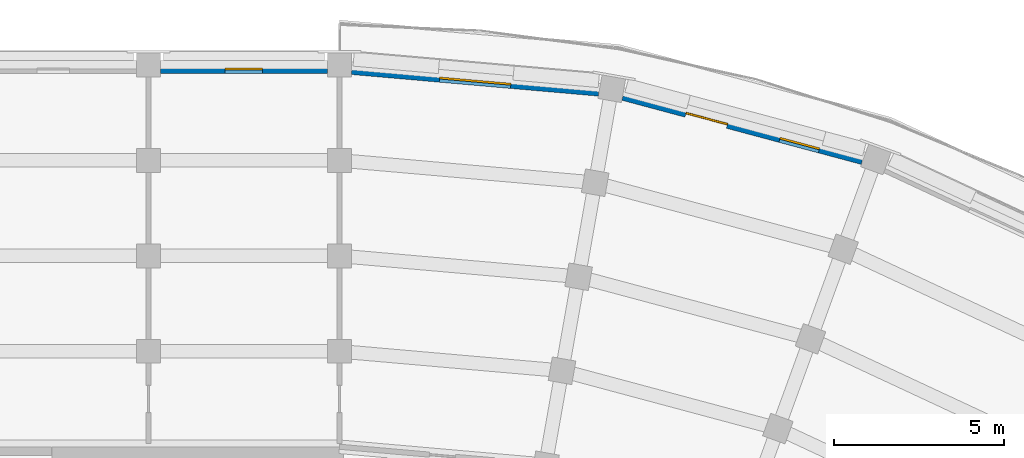
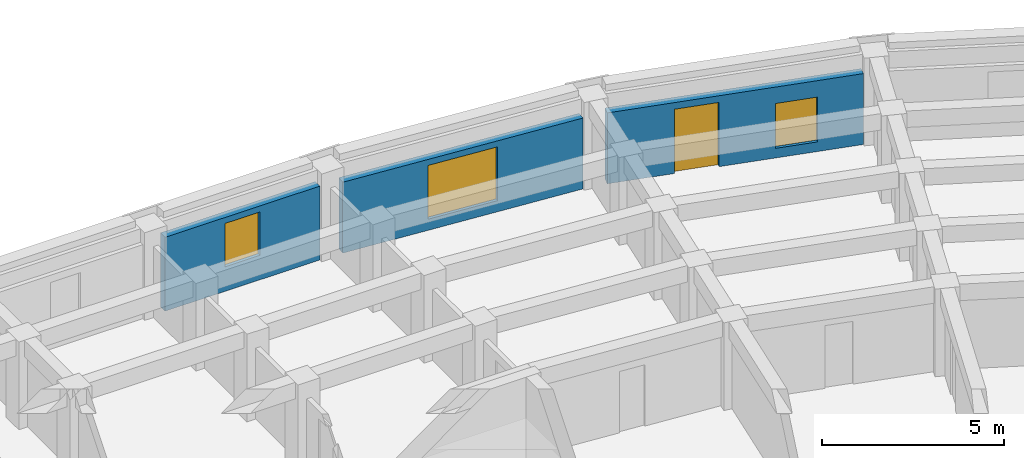
# One storey, part 38 of 57: 3 walls, 3 windows, 1 door, 4 openings.
"""IFC4 building model written with IfcOpenShell, lengths in metres."""

import ifcopenshell
import ifcopenshell.guid

model = None  # the IFC model being written
_history = None  # IfcOwnerHistory: only IFC2X3 demands one
_inside = {}  # id of a spatial element -> (the spatial element, [elements in it])
_under = {}  # id of a project, library or spatial element -> (it, [spatial elements below it])
_declared = {}  # id of a project -> (the project, [libraries it declares])
_typed = {}  # id of a type object -> (the type object, [elements of that type])
_made_of = {}  # id of a material, layer set ... -> (it, [elements and type objects made of it])


def new_model(schema):
    """Start an empty IFC model of exactly this schema.

    Asked for "IFC4X3", IfcOpenShell would pick the latest addendum, in which some entities
    have other attributes; the version numbers below select the first issue.
    IFC2X3 requires an IfcOwnerHistory on every rooted entity: one is made here for all.
    """
    global model, _history
    if schema == "IFC4X3":
        model = ifcopenshell.file(schema_version=(4, 3, 0, 0))
    else:
        model = ifcopenshell.file(schema=schema)
    _inside.clear()
    _under.clear()
    _declared.clear()
    _typed.clear()
    _made_of.clear()
    _history = None
    if model.schema == "IFC2X3":
        org = make("IfcOrganization", Name="unknown")
        user = make(
            "IfcPersonAndOrganization",
            ThePerson=make("IfcPerson", FamilyName="unknown"),
            TheOrganization=org,
        )
        app = make(
            "IfcApplication",
            ApplicationDeveloper=org,
            Version="unknown",
            ApplicationFullName="unknown",
            ApplicationIdentifier="unknown",
        )
        _history = make(
            "IfcOwnerHistory",
            OwningUser=user,
            OwningApplication=app,
            ChangeAction="ADDED",
            CreationDate=0,
        )
    return model


def make(cls, **values):
    """One entity of the class cls with the attributes given. An attribute that is None is left unset."""
    return model.create_entity(
        cls, **{name: value for name, value in values.items() if value is not None}
    )


def rooted(cls, **values):
    """An entity with a GlobalId (a new one), such as an element, a storey or a relation."""
    return make(cls, GlobalId=ifcopenshell.guid.new(), OwnerHistory=_history, **values)


def si_unit(unit_type, name, prefix=None):
    """IfcSIUnit, for example si_unit("LENGTHUNIT", "METRE", prefix="MILLI")."""
    return make("IfcSIUnit", UnitType=unit_type, Prefix=prefix, Name=name)


def assignment(units):
    """IfcUnitAssignment: the units of a project."""
    return None if units is None else make("IfcUnitAssignment", Units=units)


def point(xyz):
    """IfcCartesianPoint."""
    return None if xyz is None else make("IfcCartesianPoint", Coordinates=xyz)


def direction(xyz):
    """IfcDirection."""
    return None if xyz is None else make("IfcDirection", DirectionRatios=xyz)


def frame(location, z_axis=None, x_axis=None):
    """IfcAxis2Placement3D, a coordinate frame: its origin and axes. An axis left out is left unset."""
    return make(
        "IfcAxis2Placement3D",
        Location=point(location),
        Axis=direction(z_axis),
        RefDirection=direction(x_axis),
    )


def frame_2d(location, x_axis=None):
    """IfcAxis2Placement2D, a coordinate frame in the plane: its origin and x axis."""
    return make(
        "IfcAxis2Placement2D", Location=point(location), RefDirection=direction(x_axis)
    )


def origin():
    """The frame at (0, 0, 0) with its axes left unset."""
    return frame((0.0, 0.0, 0.0))


def place(relative_to, where):
    """IfcLocalPlacement: puts the frame where relative to a parent placement (None: the world)."""
    return make(
        "IfcLocalPlacement", PlacementRelTo=relative_to, RelativePlacement=where
    )


def context(
    kind, dimensions, precision=None, world=None, true_north=None, identifier=None
):
    """IfcGeometricRepresentationContext, for example the 3D "Model" context."""
    return make(
        "IfcGeometricRepresentationContext",
        ContextIdentifier=identifier,
        ContextType=kind,
        CoordinateSpaceDimension=dimensions,
        Precision=precision,
        WorldCoordinateSystem=world,
        TrueNorth=true_north,
    )


def subcontext(parent, identifier, kind, view, scale=None):
    """IfcGeometricRepresentationSubContext, for example "Body" below "Model"."""
    return make(
        "IfcGeometricRepresentationSubContext",
        ContextIdentifier=identifier,
        ContextType=kind,
        ParentContext=parent,
        TargetScale=scale,
        TargetView=view,
    )


def project(units=None, contexts=None):
    """IfcProject with its units and contexts."""
    return rooted(
        "IfcProject",
        Name="project",
        RepresentationContexts=contexts,
        UnitsInContext=assignment(units),
    )


def spatial(cls, under=None, at=None, **own):
    """A site, building, storey or space (cls), placed at a placement, below another one or the project."""
    s = rooted(cls, ObjectPlacement=at, **own)
    if under is not None:
        _under.setdefault(under.id(), (under, []))[1].append(s)
    return s


def profile(cls, at=None, kind="AREA", **sizes):
    """A parametric profile (cls). Its sizes go by their IFC names, for example OverallWidth=200.0."""
    return make(cls, ProfileType=kind, Position=at, **sizes)


def rectangle(**sizes):
    """IfcRectangleProfileDef."""
    return profile("IfcRectangleProfileDef", **sizes)


def extrude(swept, where, along, depth):
    """IfcExtrudedAreaSolid: the profile swept, set in the frame where, extruded along a direction by depth."""
    return make(
        "IfcExtrudedAreaSolid",
        SweptArea=swept,
        Position=where,
        ExtrudedDirection=direction(along),
        Depth=depth,
    )


def shape(context_of_items, identifier, shape_type, items):
    """IfcShapeRepresentation: the items that make up one representation, for example the "Body"."""
    return make(
        "IfcShapeRepresentation",
        ContextOfItems=context_of_items,
        RepresentationIdentifier=identifier,
        RepresentationType=shape_type,
        Items=items,
    )


def material(Name=None, Category=None):
    """IfcMaterial."""
    return make("IfcMaterial", Name=Name, Category=Category)


def layer(
    of_material, thickness, ventilated=None, Name=None, Category=None, Priority=None
):
    """IfcMaterialLayer: one layer of a wall or slab, of a material (None: an air gap)."""
    return make(
        "IfcMaterialLayer",
        Material=of_material,
        LayerThickness=thickness,
        IsVentilated=ventilated,
        Name=Name,
        Category=Category,
        Priority=Priority,
    )


def layer_set(layers, Name=None):
    """IfcMaterialLayerSet."""
    return make("IfcMaterialLayerSet", MaterialLayers=layers, LayerSetName=Name)


def made_of(thing, what):
    """Note that an element or type object is made of a material, layer set ...; save() writes the relation."""
    if what is not None:
        _made_of.setdefault(what.id(), (what, []))[1].append(thing)
    return thing


def type_object(cls, material=None, **own):
    """A type object (cls), such as IfcWallType, which elements share."""
    return made_of(rooted(cls, **own), material)


def element(
    cls,
    number,
    at=None,
    inside=None,
    cuts=None,
    type_object=None,
    material=None,
    context=None,
    identifier="Body",
    shape_type=None,
    held_by="IfcProductDefinitionShape",
    body=None,
    shapes=None,
    **own,
):
    """One element of the class cls, such as IfcWall. Its Tag is "e" and its number.

    at: its placement. inside: the storey or other place that contains it. cuts: it is an
    opening in that element (IfcRelVoidsElement). A single representation is given by context,
    identifier, shape_type and body (its items); several are given by shapes. held_by: the class
    of the entity that holds the representations. save() writes the other relations.
    """
    e = rooted(cls, Tag="e%d" % number, ObjectPlacement=at, **own)
    if body is not None:
        shapes = [shape(context, identifier, shape_type, body)]
    if shapes is not None:
        e.Representation = make(held_by, Representations=shapes)
    if inside is not None:
        _inside.setdefault(inside.id(), (inside, []))[1].append(e)
    if cuts is not None:
        rooted(
            "IfcRelVoidsElement", RelatingBuildingElement=cuts, RelatedOpeningElement=e
        )
    if type_object is not None:
        _typed.setdefault(type_object.id(), (type_object, []))[1].append(e)
    return made_of(e, material)


def fill(opening, filler):
    """IfcRelFillsElement: the door or window that sits in an opening."""
    return rooted(
        "IfcRelFillsElement",
        RelatingOpeningElement=opening,
        RelatedBuildingElement=filler,
    )


def aggregate(whole, parts):
    """IfcRelAggregates: a whole, such as a stair, and the parts it consists of."""
    return rooted("IfcRelAggregates", RelatingObject=whole, RelatedObjects=parts)


def save(model, path):
    """Write the relations noted so far, then the file.

    IfcRelAggregates (storeys below a building ...), IfcRelContainedInSpatialStructure (elements
    in a storey), IfcRelDefinesByType, IfcRelAssociatesMaterial and IfcRelDeclares: one each for
    every whole, place, type object, material and project.
    """
    for whole, parts in _under.values():
        aggregate(whole, parts)
    for where, things in _inside.values():
        rooted(
            "IfcRelContainedInSpatialStructure",
            RelatedElements=things,
            RelatingStructure=where,
        )
    for kind, things in _typed.values():
        rooted("IfcRelDefinesByType", RelatedObjects=things, RelatingType=kind)
    for what, things in _made_of.values():
        rooted("IfcRelAssociatesMaterial", RelatedObjects=things, RelatingMaterial=what)
    for by, libraries in _declared.values():
        rooted("IfcRelDeclares", RelatingContext=by, RelatedDefinitions=libraries)
    model.write(path)


model = new_model("IFC4")

# Units and contexts
model_context = context("Model", 3, precision=1e-05, world=origin(), true_north=direction((0.0, 1.0)))
body_context = subcontext(model_context, "Body", "Model", "MODEL_VIEW")
ifc_project = project(units=[si_unit("LENGTHUNIT", "METRE"), si_unit("AREAUNIT", "SQUARE_METRE"), si_unit("VOLUMEUNIT", "CUBIC_METRE"), si_unit("PLANEANGLEUNIT", "RADIAN"), si_unit("MASSUNIT", "GRAM", prefix="KILO")], contexts=[model_context])

# Site, building, storey
site_placement = place(None, origin())
site = spatial("IfcSite", under=ifc_project, at=site_placement, CompositionType="ELEMENT")
building_placement = place(site_placement, origin())
building = spatial("IfcBuilding", under=site, at=building_placement, Name="Kiranvali Square Residences", CompositionType="ELEMENT")
storey_placement = place(building_placement, frame((0.0, 0.0, 18.14990234375)))
storey = spatial("IfcBuildingStorey", under=building, at=storey_placement, Name="L05", CompositionType="ELEMENT", Elevation=18.14990234375)

# Wall, opening, window
ifc_material_1 = material(Name="Breathable lime-rendered clay brick masonry", Category="masonry")
ifc_layer = layer(ifc_material_1, 0.25)
ifc_layer_set = layer_set([ifc_layer], Name="Breathable lime-rendered clay brick masonry")
wall_type = type_object("IfcWallType", Name="WL-EXT-250", PredefinedType="STANDARD", material=ifc_layer_set)
wall_1_placement = place(storey_placement, frame((120.16357421875, 133.642822265625, 0.0), z_axis=(0.0, 0.0, 1.0), x_axis=(0.99619214922, -0.08718487158, 0.0)))
wall_1 = element("IfcWall", 1, at=wall_1_placement, inside=storey, type_object=wall_type, Name="L05 exterior wall B-L05-CRV-00", PredefinedType="STANDARD", context=body_context, shape_type="SweptSolid", body=[
    extrude(rectangle(XDim=7.2666015625, YDim=0.25, at=frame_2d((3.63330078125, 0.0))), origin(), (0.0, 0.0, 1.0), 2.3720703125),
])
opening_1_placement = place(wall_1_placement, frame((2.583251953125, 0.0, 0.3720703125)))
opening_1 = element("IfcOpeningElement", 2, at=opening_1_placement, cuts=wall_1, Name="Opening W-03", PredefinedType="OPENING", context=body_context, shape_type="SweptSolid", body=[
    extrude(rectangle(XDim=2.10009765625, YDim=1.800048828125, at=frame_2d((1.050048828125, 0.89990234375))), frame((0.0, 0.135009765625, 0.0), z_axis=(0.0, -1.0, 0.0), x_axis=(1.0, 0.0, 0.0)), (0.0, 0.0, 1.0), 0.27001953125),
])
ifc_material_2 = material(Name="Solar-control low-e double glazing", Category="glass")
window_type_1 = type_object("IfcWindowType", Name="WIN-RES-2100x1800", PartitioningType="TRIPLE_PANEL_VERTICAL", PredefinedType="WINDOW", material=ifc_material_2)
window_1_placement = place(opening_1_placement, origin())
window_1 = element("IfcWindow", 3, at=window_1_placement, inside=storey, type_object=window_type_1, Name="L05 recessed window B-L05-CRV-00", OverallHeight=1.800048828125, OverallWidth=2.10009765625, PartitioningType="TRIPLE_PANEL_VERTICAL", PredefinedType="WINDOW", context=body_context, shape_type="SweptSolid", body=[
    extrude(rectangle(XDim=2.10009765625, YDim=1.800048828125, at=frame_2d((1.050048828125, 0.89990234375))), frame((0.0, 0.030029296875, 0.0), z_axis=(0.0, -1.0, 0.0), x_axis=(1.0, 0.0, 0.0)), (0.0, 0.0, 1.0), 0.06005859375),
])
fill(opening_1, window_1)

# Wall, openings, door, window
wall_2_placement = place(storey_placement, frame((128.118408203125, 132.883056640625, 0.0), z_axis=(0.0, 0.0, 1.0), x_axis=(0.965930355787, -0.258802140196, 0.0)))
wall_2 = element("IfcWall", 4, at=wall_2_placement, inside=storey, type_object=wall_type, Name="L05 exterior wall B-L05-CRV-01", PredefinedType="STANDARD", context=body_context, shape_type="SweptSolid", body=[
    extrude(rectangle(XDim=7.2666015625, YDim=0.25, at=frame_2d((3.63330078125, 0.0))), origin(), (0.0, 0.0, 1.0), 2.3720703125),
])
opening_2_placement = place(wall_2_placement, frame((4.765625, 0.0, 0.322021484375)))
opening_2 = element("IfcOpeningElement", 5, at=opening_2_placement, cuts=wall_2, Name="Opening W-06", PredefinedType="OPENING", context=body_context, shape_type="SweptSolid", body=[
    extrude(rectangle(XDim=1.199951171875, YDim=1.5, at=frame_2d((0.60009765625, 0.75))), frame((0.0, 0.135009765625, 0.0), z_axis=(0.0, -1.0, 0.0), x_axis=(1.0, 0.0, 0.0)), (0.0, 0.0, 1.0), 0.27001953125),
])
opening_3_placement = place(wall_2_placement, frame((1.913330078125, 0.0, 0.0)))
opening_3 = element("IfcOpeningElement", 6, at=opening_3_placement, cuts=wall_2, Name="Opening ED-BAL-2", PredefinedType="OPENING", context=body_context, shape_type="SweptSolid", body=[
    extrude(rectangle(XDim=1.260009765625, YDim=2.14990234375, at=frame_2d((0.6298828125, 1.074951171875))), frame((0.0, 0.135009765625, 0.0), z_axis=(0.0, -1.0, 0.0), x_axis=(1.0, 0.0, 0.0)), (0.0, 0.0, 1.0), 0.27001953125),
])
ifc_material_3 = material(Name="Anodised bronze aluminium framing", Category="aluminium")
door_type = type_object("IfcDoorType", Name="DR-BAL-1260", OperationType="NOTDEFINED", PredefinedType="DOOR", material=ifc_material_3)
door_placement = place(opening_3_placement, origin())
door = element("IfcDoor", 7, at=door_placement, inside=storey, type_object=door_type, Name="L05 balcony terrace door", OperationType="SINGLE_SWING_RIGHT", OverallHeight=2.14990234375, OverallWidth=1.260009765625, PredefinedType="DOOR", context=body_context, shape_type="SweptSolid", body=[
    extrude(rectangle(XDim=1.260009765625, YDim=2.14990234375, at=frame_2d((0.6298828125, 1.074951171875))), frame((0.0, 0.02490234375, 0.0), z_axis=(0.0, -1.0, 0.0), x_axis=(1.0, 0.0, 0.0)), (0.0, 0.0, 1.0), 0.050048828125),
])
fill(opening_3, door)
window_type_2 = type_object("IfcWindowType", Name="WIN-RES-1200x1500", PartitioningType="SINGLE_PANEL", PredefinedType="WINDOW", material=ifc_material_2)
window_2_placement = place(opening_2_placement, origin())
window_2 = element("IfcWindow", 8, at=window_2_placement, inside=storey, type_object=window_type_2, Name="L05 recessed window B-L05-CRV-01", OverallHeight=1.5, OverallWidth=1.199951171875, PartitioningType="SINGLE_PANEL", PredefinedType="WINDOW", context=body_context, shape_type="SweptSolid", body=[
    extrude(rectangle(XDim=1.199951171875, YDim=1.5, at=frame_2d((0.60009765625, 0.75))), frame((0.0, 0.030029296875, 0.0), z_axis=(0.0, -1.0, 0.0), x_axis=(1.0, 0.0, 0.0)), (0.0, 0.0, 1.0), 0.06005859375),
])
fill(opening_2, window_2)

# Wall, opening, window
wall_3_placement = place(storey_placement, frame((119.446533203125, 133.675048828125, 0.0), z_axis=(0.0, 0.0, 1.0), x_axis=(-1.0, 0.0, 0.0)))
wall_3 = element("IfcWall", 9, at=wall_3_placement, inside=storey, type_object=wall_type, Name="L05 exterior wall B-L05-A1O-0", PredefinedType="STANDARD", context=body_context, shape_type="SweptSolid", body=[
    extrude(rectangle(XDim=4.89306640625, YDim=0.25, at=frame_2d((2.446533203125, 0.0))), origin(), (0.0, 0.0, 1.0), 2.47216796875),
])
opening_4_placement = place(wall_3_placement, frame((1.896484375, 0.0, 0.822021484375)))
opening_4 = element("IfcOpeningElement", 10, at=opening_4_placement, cuts=wall_3, Name="Opening W-15", PredefinedType="OPENING", context=body_context, shape_type="SweptSolid", body=[
    extrude(rectangle(XDim=1.10009765625, YDim=1.449951171875, at=frame_2d((0.550048828125, 0.72509765625))), frame((0.0, 0.135009765625, 0.0), z_axis=(0.0, -1.0, 0.0), x_axis=(1.0, 0.0, 0.0)), (0.0, 0.0, 1.0), 0.27001953125),
])
window_type_3 = type_object("IfcWindowType", Name="WIN-RES-1100x1450", PartitioningType="SINGLE_PANEL", PredefinedType="WINDOW", material=ifc_material_2)
window_3_placement = place(opening_4_placement, origin())
window_3 = element("IfcWindow", 11, at=window_3_placement, inside=storey, type_object=window_type_3, Name="L05 recessed window B-L05-A1O-0", OverallHeight=1.449951171875, OverallWidth=1.10009765625, PartitioningType="SINGLE_PANEL", PredefinedType="WINDOW", context=body_context, shape_type="SweptSolid", body=[
    extrude(rectangle(XDim=1.10009765625, YDim=1.449951171875, at=frame_2d((0.550048828125, 0.72509765625))), frame((0.0, 0.030029296875, 0.0), z_axis=(0.0, -1.0, 0.0), x_axis=(1.0, 0.0, 0.0)), (0.0, 0.0, 1.0), 0.06005859375),
])
fill(opening_4, window_3)

save(model, "model.ifc")
